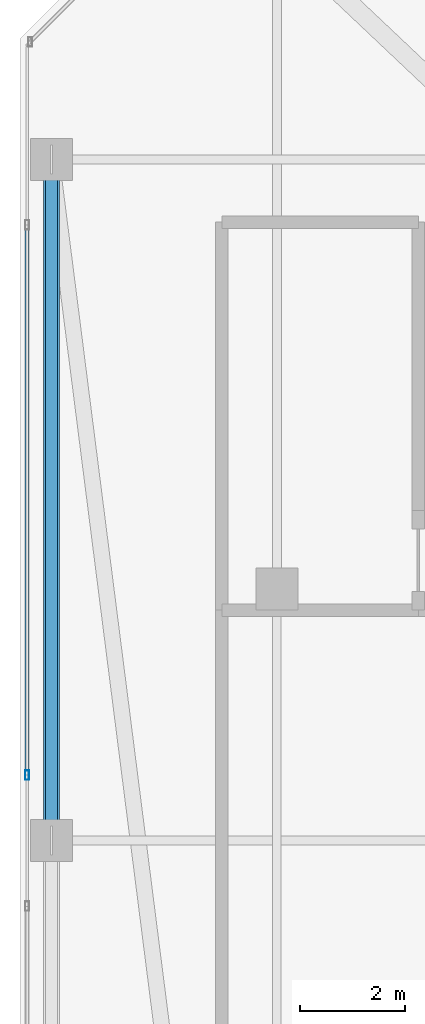
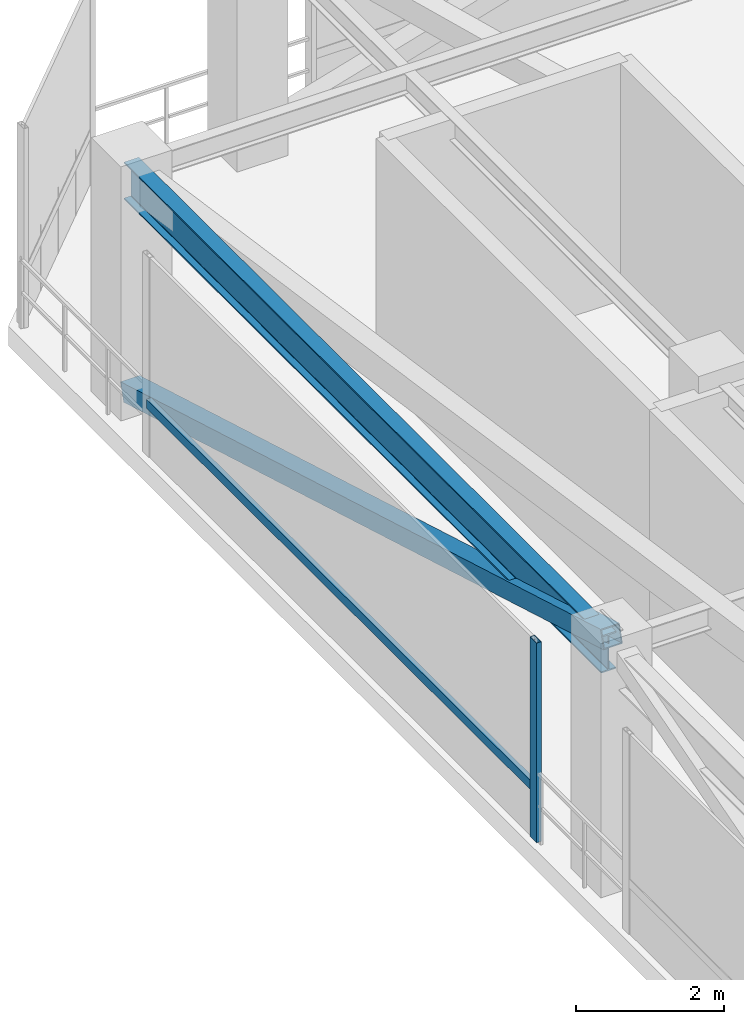
# One storey, part 12 of 47: 3 members, 1 beam, 1 element without a shape of its own.
"""IFC4 building model written with IfcOpenShell, lengths in metres."""

import ifcopenshell
import ifcopenshell.guid

model = None  # the IFC model being written
_history = None  # IfcOwnerHistory: only IFC2X3 demands one
_inside = {}  # id of a spatial element -> (the spatial element, [elements in it])
_under = {}  # id of a project, library or spatial element -> (it, [spatial elements below it])
_declared = {}  # id of a project -> (the project, [libraries it declares])
_typed = {}  # id of a type object -> (the type object, [elements of that type])
_made_of = {}  # id of a material, layer set ... -> (it, [elements and type objects made of it])


def new_model(schema):
    """Start an empty IFC model of exactly this schema.

    Asked for "IFC4X3", IfcOpenShell would pick the latest addendum, in which some entities
    have other attributes; the version numbers below select the first issue.
    IFC2X3 requires an IfcOwnerHistory on every rooted entity: one is made here for all.
    """
    global model, _history
    if schema == "IFC4X3":
        model = ifcopenshell.file(schema_version=(4, 3, 0, 0))
    else:
        model = ifcopenshell.file(schema=schema)
    _inside.clear()
    _under.clear()
    _declared.clear()
    _typed.clear()
    _made_of.clear()
    _history = None
    if model.schema == "IFC2X3":
        org = make("IfcOrganization", Name="unknown")
        user = make(
            "IfcPersonAndOrganization",
            ThePerson=make("IfcPerson", FamilyName="unknown"),
            TheOrganization=org,
        )
        app = make(
            "IfcApplication",
            ApplicationDeveloper=org,
            Version="unknown",
            ApplicationFullName="unknown",
            ApplicationIdentifier="unknown",
        )
        _history = make(
            "IfcOwnerHistory",
            OwningUser=user,
            OwningApplication=app,
            ChangeAction="ADDED",
            CreationDate=0,
        )
    return model


def make(cls, **values):
    """One entity of the class cls with the attributes given. An attribute that is None is left unset."""
    return model.create_entity(
        cls, **{name: value for name, value in values.items() if value is not None}
    )


def rooted(cls, **values):
    """An entity with a GlobalId (a new one), such as an element, a storey or a relation."""
    return make(cls, GlobalId=ifcopenshell.guid.new(), OwnerHistory=_history, **values)


def si_unit(unit_type, name, prefix=None):
    """IfcSIUnit, for example si_unit("LENGTHUNIT", "METRE", prefix="MILLI")."""
    return make("IfcSIUnit", UnitType=unit_type, Prefix=prefix, Name=name)


def assignment(units):
    """IfcUnitAssignment: the units of a project."""
    return None if units is None else make("IfcUnitAssignment", Units=units)


def point(xyz):
    """IfcCartesianPoint."""
    return None if xyz is None else make("IfcCartesianPoint", Coordinates=xyz)


def direction(xyz):
    """IfcDirection."""
    return None if xyz is None else make("IfcDirection", DirectionRatios=xyz)


def frame(location, z_axis=None, x_axis=None):
    """IfcAxis2Placement3D, a coordinate frame: its origin and axes. An axis left out is left unset."""
    return make(
        "IfcAxis2Placement3D",
        Location=point(location),
        Axis=direction(z_axis),
        RefDirection=direction(x_axis),
    )


def frame_2d(location, x_axis=None):
    """IfcAxis2Placement2D, a coordinate frame in the plane: its origin and x axis."""
    return make(
        "IfcAxis2Placement2D", Location=point(location), RefDirection=direction(x_axis)
    )


def origin():
    """The frame at (0, 0, 0) with its axes left unset."""
    return frame((0.0, 0.0, 0.0))


def origin_2d():
    """The frame at (0, 0) in the plane with its x axis left unset."""
    return frame_2d((0.0, 0.0))


def place(relative_to, where):
    """IfcLocalPlacement: puts the frame where relative to a parent placement (None: the world)."""
    return make(
        "IfcLocalPlacement", PlacementRelTo=relative_to, RelativePlacement=where
    )


def context(
    kind, dimensions, precision=None, world=None, true_north=None, identifier=None
):
    """IfcGeometricRepresentationContext, for example the 3D "Model" context."""
    return make(
        "IfcGeometricRepresentationContext",
        ContextIdentifier=identifier,
        ContextType=kind,
        CoordinateSpaceDimension=dimensions,
        Precision=precision,
        WorldCoordinateSystem=world,
        TrueNorth=true_north,
    )


def subcontext(parent, identifier, kind, view, scale=None):
    """IfcGeometricRepresentationSubContext, for example "Body" below "Model"."""
    return make(
        "IfcGeometricRepresentationSubContext",
        ContextIdentifier=identifier,
        ContextType=kind,
        ParentContext=parent,
        TargetScale=scale,
        TargetView=view,
    )


def project(units=None, contexts=None):
    """IfcProject with its units and contexts."""
    return rooted(
        "IfcProject",
        Name="project",
        RepresentationContexts=contexts,
        UnitsInContext=assignment(units),
    )


def spatial(cls, under=None, at=None, **own):
    """A site, building, storey or space (cls), placed at a placement, below another one or the project."""
    s = rooted(cls, ObjectPlacement=at, **own)
    if under is not None:
        _under.setdefault(under.id(), (under, []))[1].append(s)
    return s


def profile(cls, at=None, kind="AREA", **sizes):
    """A parametric profile (cls). Its sizes go by their IFC names, for example OverallWidth=200.0."""
    return make(cls, ProfileType=kind, Position=at, **sizes)


def hollow_rectangle(**sizes):
    """IfcRectangleHollowProfileDef."""
    return profile("IfcRectangleHollowProfileDef", **sizes)


def i_section(**sizes):
    """IfcIShapeProfileDef."""
    return profile("IfcIShapeProfileDef", **sizes)


def extrude(swept, where, along, depth):
    """IfcExtrudedAreaSolid: the profile swept, set in the frame where, extruded along a direction by depth."""
    return make(
        "IfcExtrudedAreaSolid",
        SweptArea=swept,
        Position=where,
        ExtrudedDirection=direction(along),
        Depth=depth,
    )


def shape(context_of_items, identifier, shape_type, items):
    """IfcShapeRepresentation: the items that make up one representation, for example the "Body"."""
    return make(
        "IfcShapeRepresentation",
        ContextOfItems=context_of_items,
        RepresentationIdentifier=identifier,
        RepresentationType=shape_type,
        Items=items,
    )


def material(Name=None, Category=None):
    """IfcMaterial."""
    return make("IfcMaterial", Name=Name, Category=Category)


def material_profile(
    of_material, cross_section, Name=None, Category=None, Priority=None
):
    """IfcMaterialProfile: a cross section and its material."""
    return make(
        "IfcMaterialProfile",
        Name=Name,
        Material=of_material,
        Profile=cross_section,
        Priority=Priority,
        Category=Category,
    )


def profile_set(profiles, Name=None, composite=None):
    """IfcMaterialProfileSet."""
    return make(
        "IfcMaterialProfileSet",
        Name=Name,
        MaterialProfiles=profiles,
        CompositeProfile=composite,
    )


def made_of(thing, what):
    """Note that an element or type object is made of a material, layer set ...; save() writes the relation."""
    if what is not None:
        _made_of.setdefault(what.id(), (what, []))[1].append(thing)
    return thing


def type_object(cls, material=None, **own):
    """A type object (cls), such as IfcWallType, which elements share."""
    return made_of(rooted(cls, **own), material)


def element(
    cls,
    number,
    at=None,
    inside=None,
    cuts=None,
    type_object=None,
    material=None,
    context=None,
    identifier="Body",
    shape_type=None,
    held_by="IfcProductDefinitionShape",
    body=None,
    shapes=None,
    **own,
):
    """One element of the class cls, such as IfcWall. Its Tag is "e" and its number.

    at: its placement. inside: the storey or other place that contains it. cuts: it is an
    opening in that element (IfcRelVoidsElement). A single representation is given by context,
    identifier, shape_type and body (its items); several are given by shapes. held_by: the class
    of the entity that holds the representations. save() writes the other relations.
    """
    e = rooted(cls, Tag="e%d" % number, ObjectPlacement=at, **own)
    if body is not None:
        shapes = [shape(context, identifier, shape_type, body)]
    if shapes is not None:
        e.Representation = make(held_by, Representations=shapes)
    if inside is not None:
        _inside.setdefault(inside.id(), (inside, []))[1].append(e)
    if cuts is not None:
        rooted(
            "IfcRelVoidsElement", RelatingBuildingElement=cuts, RelatedOpeningElement=e
        )
    if type_object is not None:
        _typed.setdefault(type_object.id(), (type_object, []))[1].append(e)
    return made_of(e, material)


def aggregate(whole, parts):
    """IfcRelAggregates: a whole, such as a stair, and the parts it consists of."""
    return rooted("IfcRelAggregates", RelatingObject=whole, RelatedObjects=parts)


def save(model, path):
    """Write the relations noted so far, then the file.

    IfcRelAggregates (storeys below a building ...), IfcRelContainedInSpatialStructure (elements
    in a storey), IfcRelDefinesByType, IfcRelAssociatesMaterial and IfcRelDeclares: one each for
    every whole, place, type object, material and project.
    """
    for whole, parts in _under.values():
        aggregate(whole, parts)
    for where, things in _inside.values():
        rooted(
            "IfcRelContainedInSpatialStructure",
            RelatedElements=things,
            RelatingStructure=where,
        )
    for kind, things in _typed.values():
        rooted("IfcRelDefinesByType", RelatedObjects=things, RelatingType=kind)
    for what, things in _made_of.values():
        rooted("IfcRelAssociatesMaterial", RelatedObjects=things, RelatingMaterial=what)
    for by, libraries in _declared.values():
        rooted("IfcRelDeclares", RelatingContext=by, RelatedDefinitions=libraries)
    model.write(path)


model = new_model("IFC4")

# Units and contexts
model_context = context("Model", 3, precision=1e-05, world=origin(), true_north=direction((0.0, 1.0)))
body_context = subcontext(model_context, "Body", "Model", "MODEL_VIEW")
ifc_project = project(units=[si_unit("LENGTHUNIT", "METRE"), si_unit("AREAUNIT", "SQUARE_METRE"), si_unit("VOLUMEUNIT", "CUBIC_METRE"), si_unit("PLANEANGLEUNIT", "RADIAN"), si_unit("MASSUNIT", "GRAM", prefix="KILO")], contexts=[model_context])

# Site, building, storey
site_placement = place(None, origin())
site = spatial("IfcSite", under=ifc_project, at=site_placement, CompositionType="ELEMENT")
building_placement = place(site_placement, origin())
building = spatial("IfcBuilding", under=site, at=building_placement, Name="Thornwick Lancets Civic Towers", CompositionType="ELEMENT")
storey_placement = place(building_placement, frame((0.0, 0.0, 279.89990234375)))
storey = spatial("IfcBuildingStorey", under=building, at=storey_placement, Name="C01", CompositionType="ELEMENT", Elevation=279.89990234375)

# Beam
ifc_material_1 = material(Name="Steel S355JR", Category="steel")
ifc_material_profile_1 = material_profile(ifc_material_1, i_section(OverallWidth=0.230224609375, OverallDepth=0.6171875, WebThickness=0.01318359375, FlangeThickness=0.022216796875, FilletRadius=0.0126953125, at=origin_2d()), Name="UKB 610x229x140")
ifc_profile_set_1 = profile_set([ifc_material_profile_1], Name="Steel S355JR")
beam_type = type_object("IfcBeamType", Name="BM_GIRD_610_140", PredefinedType="BEAM", material=ifc_profile_set_1)
beam_placement = place(storey_placement, frame((8.199951171875, 27.080078125, 3.631591796875), z_axis=(0.0, 1.0, 0.0), x_axis=(-1.0, 0.0, 0.0)))
element("IfcBeam", 1, at=beam_placement, inside=storey, type_object=beam_type, Name="BM-SPINE-C01-A-10-11", PredefinedType="BEAM", context=body_context, shape_type="SweptSolid", body=[
    extrude(i_section(OverallWidth=0.230224609375, OverallDepth=0.6171875, WebThickness=0.01318359375, FlangeThickness=0.022216796875, FilletRadius=0.0126953125, at=origin_2d()), origin(), (0.0, 0.0, 1.0), 12.919921875),
])

# Curtain wall, members
ifc_material_2 = material(Name="Crown ring acoustic-louvre and glazing screen wall", Category="glass")
curtain_wall_type = type_object("IfcCurtainWallType", Name="CW_SYS_07", PredefinedType="NOTDEFINED", material=ifc_material_2)
curtain_wall_placement = place(storey_placement, origin())
curtain_wall = element("IfcCurtainWall", 2, at=curtain_wall_placement, inside=storey, type_object=curtain_wall_type, Name="C01 Curtain Wall CW-C01-A-E6-S1", PredefinedType="NOTDEFINED")
ifc_material_3 = material(Name="Thermally broken bronze aluminium S355", Category="steel")
ifc_material_profile_2 = material_profile(ifc_material_3, hollow_rectangle(XDim=0.074951171875, YDim=0.179931640625, WallThickness=0.006103515625, at=origin_2d()), Name="RHS 180x75x6")
ifc_profile_set_2 = profile_set([ifc_material_profile_2], Name="Thermally broken bronze aluminium S355")
member_type_1 = type_object("IfcMemberType", Name="CW_MUL_180", PredefinedType="MULLION", material=ifc_profile_set_2)
member_1_placement = place(storey_placement, frame((7.7353515625, 28.25, 0.0), z_axis=(0.0, 0.0, 1.0), x_axis=(1.0, 0.0, 0.0)))
member_1 = element("IfcMember", 3, at=member_1_placement, type_object=member_type_1, Name="CW-C01-A-E6-S1 Mullion 1", PredefinedType="MULLION", context=body_context, shape_type="SweptSolid", body=[
    extrude(hollow_rectangle(XDim=0.074951171875, YDim=0.179931640625, WallThickness=0.006103515625, at=origin_2d()), origin(), (0.0, 0.0, 1.0), 3.300048828125),
])
ifc_material_profile_3 = material_profile(ifc_material_3, hollow_rectangle(XDim=0.074951171875, YDim=0.14990234375, WallThickness=0.0048828125, at=origin_2d()), Name="RHS 150x75x5")
ifc_profile_set_3 = profile_set([ifc_material_profile_3], Name="Thermally broken bronze aluminium S355")
member_type_2 = type_object("IfcMemberType", Name="CW_TRN_150", PredefinedType="USERDEFINED", material=ifc_profile_set_3)
member_2_placement = place(storey_placement, frame((7.7353515625, 38.72998046875, 0.85009765625), z_axis=(0.0, -1.0, 0.0), x_axis=(1.0, 0.0, 0.0)))
member_2 = element("IfcMember", 4, at=member_2_placement, type_object=member_type_2, Name="CW-C01-A-E6-S1 Transom 0", ObjectType="TRANSOM", PredefinedType="USERDEFINED", context=body_context, shape_type="SweptSolid", body=[
    extrude(hollow_rectangle(XDim=0.074951171875, YDim=0.14990234375, WallThickness=0.0048828125, at=origin_2d()), origin(), (0.0, 0.0, 1.0), 10.4599609375),
])
aggregate(curtain_wall, [member_1, member_2])

# Member
ifc_material_4 = material(Name="Steel S460M", Category="steel")
ifc_material_profile_4 = material_profile(ifc_material_4, hollow_rectangle(XDim=0.300048828125, YDim=0.300048828125, WallThickness=0.01611328125, at=origin_2d()), Name="SHS 300x300x16")
ifc_profile_set_4 = profile_set([ifc_material_profile_4], Name="Steel S460M")
member_type_3 = type_object("IfcMemberType", Name="MEM_BELT_SHS300", PredefinedType="BRACE", material=ifc_profile_set_4)
member_3_placement = place(storey_placement, frame((8.199951171875, 40.0, 0.150146484375), z_axis=(0.0, -0.960032302388, 0.279889225178), x_axis=(1.0, 0.0, 0.0)))
element("IfcMember", 5, at=member_3_placement, inside=storey, type_object=member_type_3, Name="C01 Belt Truss Diagonal A-S3-2", PredefinedType="BRACE", context=body_context, shape_type="SweptSolid", body=[
    extrude(hollow_rectangle(XDim=0.300048828125, YDim=0.300048828125, WallThickness=0.01611328125, at=origin_2d()), origin(), (0.0, 0.0, 1.0), 13.541259765625),
])

save(model, "model.ifc")
